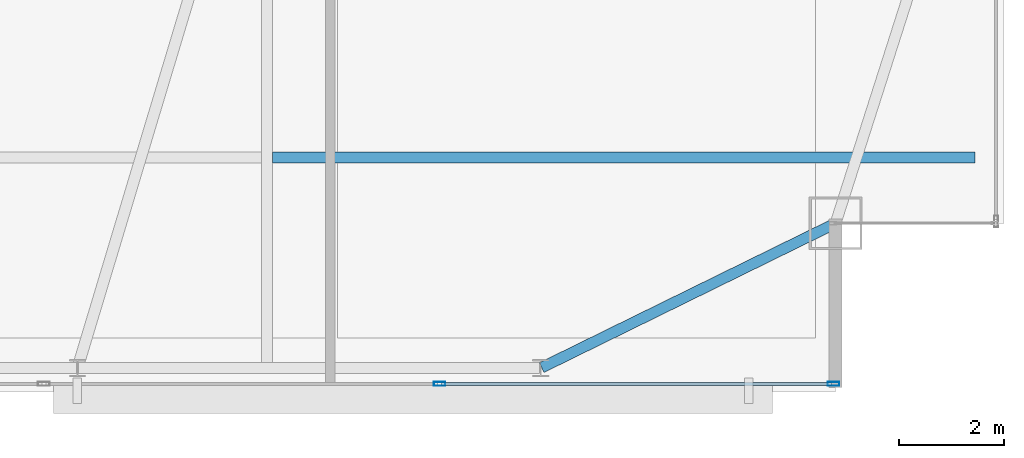
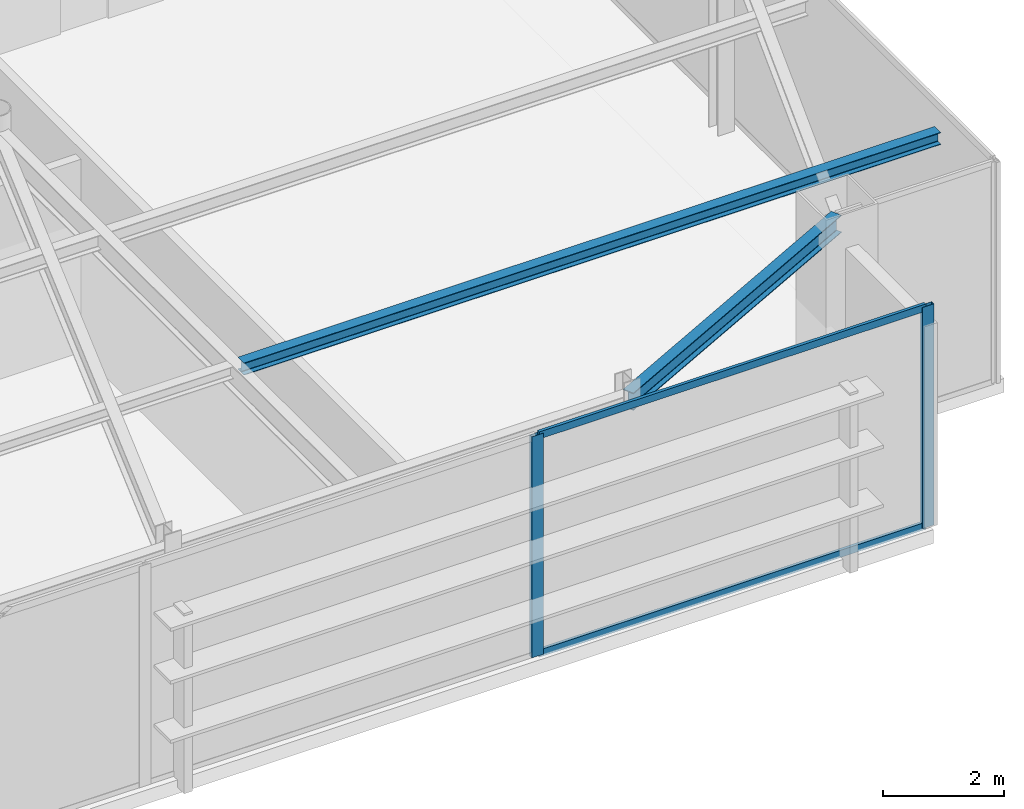
# One storey, part 13 of 20: 4 members, 2 beams, 1 element without a shape of its own.
"""IFC4 building model written with IfcOpenShell, lengths in metres."""

from ifc_helpers import new_model, si_unit, direction, frame, origin, origin_2d, place, context, subcontext, project, spatial, hollow_rectangle, i_section, extrude, source, transform, mapped, material, layer, layer_set, material_profile, profile_set, type_object, type_shapes, element, aggregate, save


model = new_model("IFC4")

# Units and contexts
model_context = context("Model", 3, precision=1e-05, world=origin(), true_north=direction((0.0, 1.0)))
body_context = subcontext(model_context, "Body", "Model", "MODEL_VIEW")
ifc_project = project(units=[si_unit("LENGTHUNIT", "METRE"), si_unit("AREAUNIT", "SQUARE_METRE"), si_unit("VOLUMEUNIT", "CUBIC_METRE"), si_unit("PLANEANGLEUNIT", "RADIAN"), si_unit("MASSUNIT", "GRAM", prefix="KILO")], contexts=[model_context])

# Site, building, storey
site_placement = place(None, origin())
site = spatial("IfcSite", under=ifc_project, at=site_placement, CompositionType="ELEMENT")
building_placement = place(site_placement, origin())
building = spatial("IfcBuilding", under=site, at=building_placement, Name="Varnel Quay Broadcast Tower", CompositionType="ELEMENT")
storey_placement = place(building_placement, frame((0.0, 0.0, 309.800048828125)))
storey = spatial("IfcBuildingStorey", under=building, at=storey_placement, Name="L77", CompositionType="ELEMENT", Elevation=309.800048828125)

# Beams
ifc_material_1 = material(Name="Structural Steel CSA G40.21 350W", Category="steel")
ifc_material_profile_1 = material_profile(ifc_material_1, i_section(OverallWidth=0.205078125, OverallDepth=0.35400390625, WebThickness=0.009521484375, FlangeThickness=0.016845703125, FilletRadius=0.012939453125, at=origin_2d()), Name="W360X79")
ifc_profile_set_1 = profile_set([ifc_material_profile_1], Name="Structural Steel CSA G40.21 350W")
beam_type_1 = type_object("IfcBeamType", Name="Beam_W360X79", PredefinedType="SPANDREL", material=ifc_profile_set_1)
shared_shape_1 = source(origin(), body_context, "Body", "SweptSolid", [
    extrude(i_section(OverallWidth=0.205078125, OverallDepth=0.35400390625, WebThickness=0.009521484375, FlangeThickness=0.016845703125, FilletRadius=0.012939453125, at=origin_2d()), origin(), (0.0, 0.0, 1.0), 6.19873046875),
])
type_shapes(beam_type_1, [shared_shape_1])
beam_1_placement = place(storey_placement, frame((47.218017578125, 13.65869140625, 4.302978515625), z_axis=(0.897602447358, 0.440805905697, 0.0), x_axis=(-0.440805905697, 0.897602447358, 0.0)))
element("IfcBeam", 1, at=beam_1_placement, inside=storey, type_object=beam_type_1, Name="L77 South Spandrel TC-S4-MC-SE", PredefinedType="SPANDREL", context=body_context, shape_type="MappedRepresentation", body=[
    mapped(shared_shape_1, transform((0.0, 0.0, 0.0), x_axis=(1.0, 0.0, 0.0), y_axis=(0.0, 1.0, 0.0), z_axis=(0.0, 0.0, 1.0), scale=1.0)),
])
ifc_material_profile_2 = material_profile(ifc_material_1, i_section(OverallWidth=0.201904296875, OverallDepth=0.2470703125, WebThickness=0.00732421875, FlangeThickness=0.010986328125, FilletRadius=0.010986328125, at=origin_2d()), Name="W250X49")
ifc_profile_set_2 = profile_set([ifc_material_profile_2], Name="Structural Steel CSA G40.21 350W")
beam_type_2 = type_object("IfcBeamType", Name="Beam_W250X49", PredefinedType="JOIST", material=ifc_profile_set_2)
shared_shape_2 = source(origin(), body_context, "Body", "SweptSolid", [
    extrude(i_section(OverallWidth=0.201904296875, OverallDepth=0.2470703125, WebThickness=0.00732421875, FlangeThickness=0.010986328125, FilletRadius=0.010986328125, at=origin_2d()), origin(), (0.0, 0.0, 1.0), 13.351318359375),
])
type_shapes(beam_type_2, [shared_shape_2])
beam_2_placement = place(storey_placement, frame((42.10107421875, 17.64990234375, 4.3564453125), z_axis=(1.0, 0.0, 0.0), x_axis=(0.0, 1.0, 0.0)))
element("IfcBeam", 2, at=beam_2_placement, inside=storey, type_object=beam_type_2, Name="L77 East Floor Joist 1", PredefinedType="JOIST", context=body_context, shape_type="MappedRepresentation", body=[
    mapped(shared_shape_2, transform((0.0, 0.0, 0.0), x_axis=(1.0, 0.0, 0.0), y_axis=(0.0, 1.0, 0.0), z_axis=(0.0, 0.0, 1.0), scale=1.0)),
])

# Curtain wall, members
ifc_material_2 = material(Name="Anodised Bronze Aluminium 6063-T6", Category="aluminium")
ifc_layer = layer(ifc_material_2, 0.18994140625, Name="Anodised Bronze Aluminium 6063-T6")
ifc_layer_set = layer_set([ifc_layer], Name="Anodised Bronze Aluminium 6063-T6")
curtain_wall_type = type_object("IfcCurtainWallType", Name="CW_SkyObsHighVis", PredefinedType="NOTDEFINED", material=ifc_layer_set)
curtain_wall_placement = place(storey_placement, origin())
curtain_wall = element("IfcCurtainWall", 3, at=curtain_wall_placement, inside=storey, type_object=curtain_wall_type, Name="L77 South Unitised Curtain Wall 1", PredefinedType="NOTDEFINED")
ifc_material_profile_3 = material_profile(ifc_material_2, hollow_rectangle(XDim=0.06005859375, YDim=0.14501953125, WallThickness=0.00341796875, at=origin_2d()), Name="ALU60X145X3.5")
ifc_profile_set_3 = profile_set([ifc_material_profile_3], Name="Anodised Bronze Aluminium 6063-T6")
member_type_1 = type_object("IfcMemberType", Name="Tran_CWS-05", PredefinedType="USERDEFINED", material=ifc_profile_set_3)
shared_shape_3 = source(origin(), body_context, "Body", "SweptSolid", [
    extrude(hollow_rectangle(XDim=0.06005859375, YDim=0.14501953125, WallThickness=0.00341796875, at=origin_2d()), origin(), (0.0, 0.0, 1.0), 7.40771484375),
])
type_shapes(member_type_1, [shared_shape_3])
member_1_placement = place(storey_placement, frame((45.3173828125, 13.35009765625, 0.030029296875), z_axis=(1.0, 0.0, 0.0), x_axis=(0.0, 1.0, 0.0)))
member_1 = element("IfcMember", 4, at=member_1_placement, type_object=member_type_1, Name="CWS-05 transom 5.1", ObjectType="TRANSOM", PredefinedType="USERDEFINED", context=body_context, shape_type="MappedRepresentation", body=[
    mapped(shared_shape_3, transform((0.0, 0.0, 0.0), x_axis=(1.0, 0.0, 0.0), y_axis=(0.0, 1.0, 0.0), z_axis=(0.0, 0.0, 1.0), scale=1.0)),
])
member_2_placement = place(storey_placement, frame((45.3173828125, 13.35009765625, 4.449951171875), z_axis=(1.0, 0.0, 0.0), x_axis=(0.0, 1.0, 0.0)))
member_2 = element("IfcMember", 5, at=member_2_placement, type_object=member_type_1, Name="CWS-05 transom 5.2", ObjectType="TRANSOM", PredefinedType="USERDEFINED", context=body_context, shape_type="MappedRepresentation", body=[
    mapped(shared_shape_3, transform((0.0, 0.0, 0.0), x_axis=(1.0, 0.0, 0.0), y_axis=(0.0, 1.0, 0.0), z_axis=(0.0, 0.0, 1.0), scale=1.0)),
])
ifc_material_profile_4 = material_profile(ifc_material_2, hollow_rectangle(XDim=0.074951171875, YDim=0.219970703125, WallThickness=0.00390625, at=origin_2d()), Name="ALU75X220X4")
ifc_profile_set_4 = profile_set([ifc_material_profile_4], Name="Anodised Bronze Aluminium 6063-T6")
member_type_2 = type_object("IfcMemberType", Name="Mull_CWS-05", PredefinedType="MULLION", material=ifc_profile_set_4)
shared_shape_4 = source(origin(), body_context, "Body", "SweptSolid", [
    extrude(hollow_rectangle(XDim=0.074951171875, YDim=0.219970703125, WallThickness=0.00390625, at=origin_2d()), origin(), (0.0, 0.0, 1.0), 4.47998046875),
])
type_shapes(member_type_2, [shared_shape_4])
member_3_placement = place(storey_placement, frame((45.280029296875, 13.35009765625, 0.0), z_axis=(0.0, 0.0, 1.0), x_axis=(0.0, 1.0, 0.0)))
member_3 = element("IfcMember", 6, at=member_3_placement, type_object=member_type_2, Name="CWS-05 mullion 5", PredefinedType="MULLION", context=body_context, shape_type="MappedRepresentation", body=[
    mapped(shared_shape_4, transform((0.0, 0.0, 0.0), x_axis=(1.0, 0.0, 0.0), y_axis=(0.0, 1.0, 0.0), z_axis=(0.0, 0.0, 1.0), scale=1.0)),
])
member_4_placement = place(storey_placement, frame((52.762451171875, 13.35009765625, 0.0), z_axis=(0.0, 0.0, 1.0), x_axis=(0.0, 1.0, 0.0)))
member_4 = element("IfcMember", 7, at=member_4_placement, type_object=member_type_2, Name="CWS-05 mullion 6", PredefinedType="MULLION", context=body_context, shape_type="MappedRepresentation", body=[
    mapped(shared_shape_4, transform((0.0, 0.0, 0.0), x_axis=(1.0, 0.0, 0.0), y_axis=(0.0, 1.0, 0.0), z_axis=(0.0, 0.0, 1.0), scale=1.0)),
])
aggregate(curtain_wall, [member_3, member_4, member_1, member_2])

save(model, "model.ifc")
